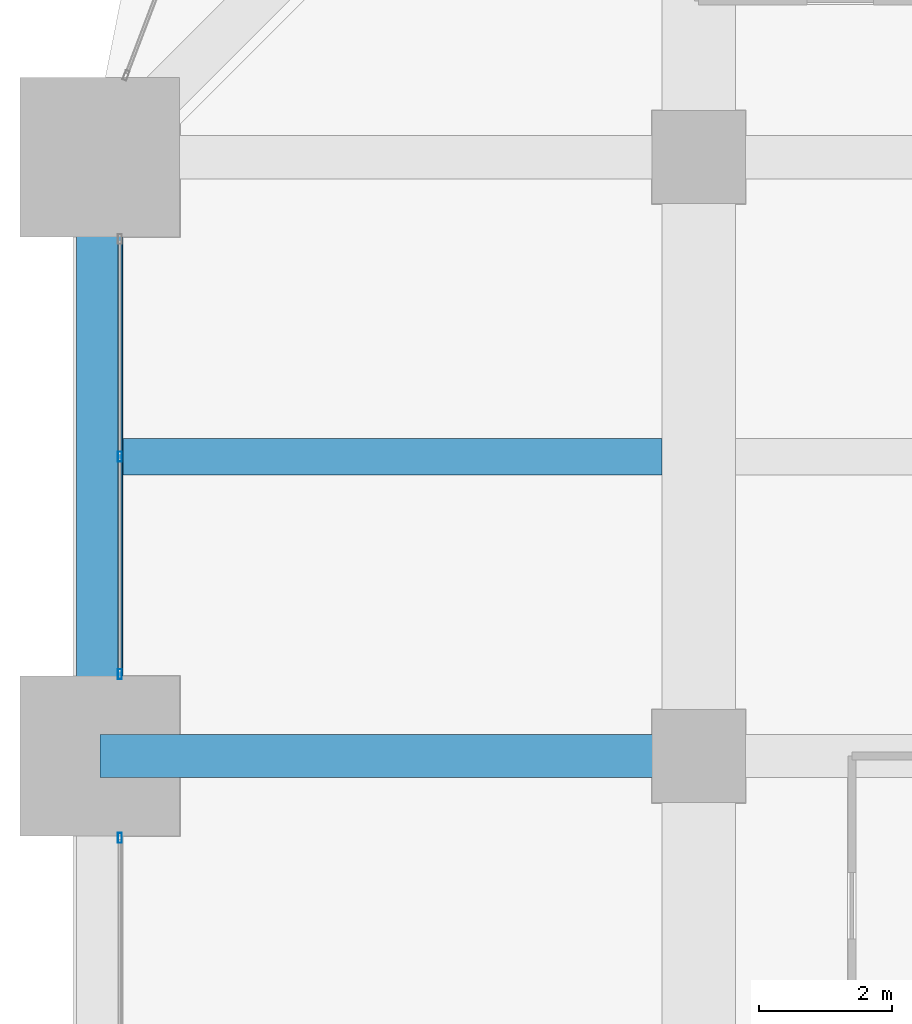
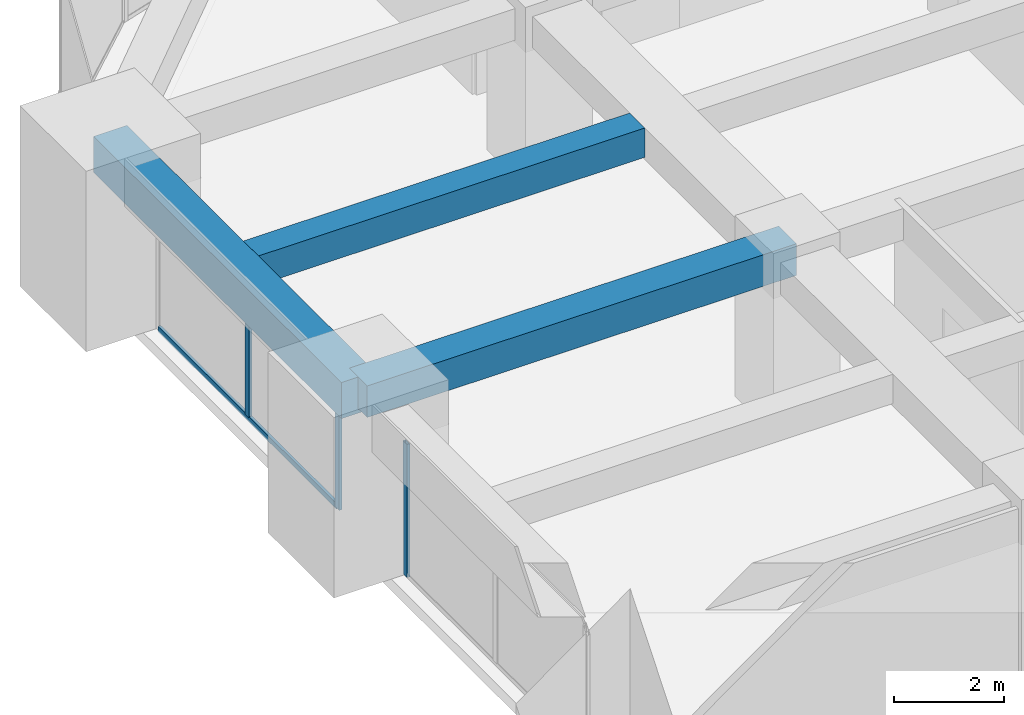
# One storey, part 11 of 33: 4 members, 3 beams, 2 elements without a shape of their own.
"""IFC4 building model written with IfcOpenShell, lengths in metres."""

from ifc_helpers import new_model, si_unit, direction, frame, origin, origin_2d, place, context, subcontext, project, spatial, rectangle, hollow_rectangle, extrude, material, material_profile, profile_set, type_object, element, aggregate, save


model = new_model("IFC4")

# Units and contexts
model_context = context("Model", 3, precision=1e-05, world=origin(), true_north=direction((0.0, 1.0)))
body_context = subcontext(model_context, "Body", "Model", "MODEL_VIEW")
ifc_project = project(units=[si_unit("LENGTHUNIT", "METRE"), si_unit("AREAUNIT", "SQUARE_METRE"), si_unit("VOLUMEUNIT", "CUBIC_METRE"), si_unit("PLANEANGLEUNIT", "RADIAN"), si_unit("MASSUNIT", "GRAM", prefix="KILO")], contexts=[model_context])

# Site, building, storey
site_placement = place(None, origin())
site = spatial("IfcSite", under=ifc_project, at=site_placement, CompositionType="ELEMENT")
building_placement = place(site_placement, origin())
building = spatial("IfcBuilding", under=site, at=building_placement, Name="Zorevar Civic Tower", CompositionType="ELEMENT")
storey_placement = place(building_placement, frame((0.0, 0.0, 210.199951171875)))
storey = spatial("IfcBuildingStorey", under=building, at=storey_placement, Name="L51", CompositionType="ELEMENT", Elevation=210.199951171875)

# Beams
ifc_material_1 = material(Name="Concrete C50/60", Category="concrete")
ifc_material_profile_1 = material_profile(ifc_material_1, rectangle(XDim=0.550048828125, YDim=0.64990234375, at=origin_2d()), Name="RC 550x650")
ifc_profile_set_1 = profile_set([ifc_material_profile_1], Name="Concrete C50/60")
beam_type_1 = type_object("IfcBeamType", Name="Beam RC 550x650", PredefinedType="BEAM", material=ifc_profile_set_1)
beam_1_placement = place(storey_placement, frame((0.35009765625, 31.5, 3.425048828125), z_axis=(1.0, 0.0, 0.0), x_axis=(0.0, 1.0, 0.0)))
element("IfcBeam", 1, at=beam_1_placement, inside=storey, type_object=beam_type_1, Name="Secondary beam L52", PredefinedType="BEAM", context=body_context, shape_type="SweptSolid", body=[
    extrude(rectangle(XDim=0.550048828125, YDim=0.64990234375, at=origin_2d()), origin(), (0.0, 0.0, 1.0), 8.099853515625),
])
ifc_material_2 = material(Name="Concrete C50/60", Category="concrete")
ifc_material_profile_2 = material_profile(ifc_material_2, rectangle(XDim=0.64990234375, YDim=0.699951171875, at=origin_2d()), Name="RC 650x700")
ifc_profile_set_2 = profile_set([ifc_material_profile_2], Name="Concrete C50/60")
beam_type_2 = type_object("IfcBeamType", Name="Beam RC 650x700", PredefinedType="BEAM", material=ifc_profile_set_2)
beam_2_placement = place(storey_placement, frame((0.0, 27.0, 3.400146484375), z_axis=(1.0, 0.0, 0.0), x_axis=(0.0, 1.0, 0.0)))
element("IfcBeam", 2, at=beam_2_placement, inside=storey, type_object=beam_type_2, Name="Girder L52", PredefinedType="BEAM", context=body_context, shape_type="SweptSolid", body=[
    extrude(rectangle(XDim=0.64990234375, YDim=0.699951171875, at=origin_2d()), origin(), (0.0, 0.0, 1.0), 9.0),
])

# Curtain wall, member
ifc_material_3 = material(Name="Dark grey solar-control glass in black aluminium frame", Category="aluminium")
curtain_wall_type = type_object("IfcCurtainWallType", Name="Curtain wall CW4 high zone", PredefinedType="NOTDEFINED", material=ifc_material_3)
curtain_wall_1_placement = place(storey_placement, origin())
curtain_wall_1 = element("IfcCurtainWall", 3, at=curtain_wall_1_placement, inside=storey, type_object=curtain_wall_type, Name="CW4 L51", PredefinedType="NOTDEFINED")
ifc_material_4 = material(Name="Aluminium, black anodised", Category="aluminium")
ifc_material_profile_3 = material_profile(ifc_material_4, hollow_rectangle(XDim=0.06005859375, YDim=0.14990234375, WallThickness=0.00390625, at=origin_2d()), Name="AL 150x60x4")
ifc_profile_set_3 = profile_set([ifc_material_profile_3], Name="Aluminium, black anodised")
member_type_1 = type_object("IfcMemberType", Name="CW4 mullion AL 150x60x4", PredefinedType="MULLION", material=ifc_profile_set_3)
member_1_placement = place(storey_placement, frame((0.300048828125, 25.77001953125, 0.0), z_axis=(0.0, 0.0, 1.0), x_axis=(-1.0, 0.0, 0.0)))
member_1 = element("IfcMember", 4, at=member_1_placement, type_object=member_type_1, Name="CW4 mullion 3", PredefinedType="MULLION", context=body_context, shape_type="SweptSolid", body=[
    extrude(hollow_rectangle(XDim=0.06005859375, YDim=0.14990234375, WallThickness=0.00390625, at=origin_2d()), origin(), (0.0, 0.0, 1.0), 2.949951171875),
])
aggregate(curtain_wall_1, [member_1])

# Curtain wall, members
curtain_wall_2_placement = place(storey_placement, origin())
curtain_wall_2 = element("IfcCurtainWall", 5, at=curtain_wall_2_placement, inside=storey, type_object=curtain_wall_type, Name="CW4 L51", PredefinedType="NOTDEFINED")
member_2_placement = place(storey_placement, frame((0.300048828125, 28.22998046875, 0.0), z_axis=(0.0, 0.0, 1.0), x_axis=(-1.0, 0.0, 0.0)))
member_2 = element("IfcMember", 6, at=member_2_placement, type_object=member_type_1, Name="CW4 mullion 1", PredefinedType="MULLION", context=body_context, shape_type="SweptSolid", body=[
    extrude(hollow_rectangle(XDim=0.06005859375, YDim=0.14990234375, WallThickness=0.00390625, at=origin_2d()), origin(), (0.0, 0.0, 1.0), 2.949951171875),
])
member_3_placement = place(storey_placement, frame((0.300048828125, 31.5, 0.06005859375), z_axis=(0.0, 0.0, 1.0), x_axis=(-1.0, 0.0, 0.0)))
member_3 = element("IfcMember", 7, at=member_3_placement, type_object=member_type_1, Name="CW4 mullion 2", PredefinedType="MULLION", context=body_context, shape_type="SweptSolid", body=[
    extrude(hollow_rectangle(XDim=0.06005859375, YDim=0.14990234375, WallThickness=0.00390625, at=origin_2d()), origin(), (0.0, 0.0, 1.0), 2.889892578125),
])
ifc_material_5 = material(Name="Aluminium, black anodised", Category="aluminium")
ifc_material_profile_4 = material_profile(ifc_material_5, hollow_rectangle(XDim=0.06005859375, YDim=0.1201171875, WallThickness=0.0029296875, at=origin_2d()), Name="AL 120x60x3")
ifc_profile_set_4 = profile_set([ifc_material_profile_4], Name="Aluminium, black anodised")
member_type_2 = type_object("IfcMemberType", Name="CW4 transom AL 120x60x3", PredefinedType="USERDEFINED", material=ifc_profile_set_4)
member_4_placement = place(storey_placement, frame((0.300048828125, 28.260009765625, 0.030029296875), z_axis=(0.0, 1.0, 0.0), x_axis=(-1.0, 0.0, 0.0)))
member_4 = element("IfcMember", 8, at=member_4_placement, type_object=member_type_2, Name="CW4 sill transom", ObjectType="TRANSOM", PredefinedType="USERDEFINED", context=body_context, shape_type="SweptSolid", body=[
    extrude(hollow_rectangle(XDim=0.06005859375, YDim=0.1201171875, WallThickness=0.0029296875, at=origin_2d()), origin(), (0.0, 0.0, 1.0), 6.47998046875),
])
aggregate(curtain_wall_2, [member_2, member_3, member_4])

# Beam
ifc_material_6 = material(Name="Concrete C50/60", Category="concrete")
ifc_material_profile_5 = material_profile(ifc_material_6, rectangle(XDim=0.699951171875, YDim=0.800048828125, at=origin_2d()), Name="RC 700x800")
ifc_profile_set_5 = profile_set([ifc_material_profile_5], Name="Concrete C50/60")
beam_type_3 = type_object("IfcBeamType", Name="Edge beam RC 700x800", PredefinedType="SPANDREL", material=ifc_profile_set_5)
beam_3_placement = place(storey_placement, frame((0.0, 27.0, 3.35009765625), z_axis=(0.0, 1.0, 0.0), x_axis=(-1.0, 0.0, 0.0)))
element("IfcBeam", 9, at=beam_3_placement, inside=storey, type_object=beam_type_3, Name="Edge beam L52", PredefinedType="SPANDREL", context=body_context, shape_type="SweptSolid", body=[
    extrude(rectangle(XDim=0.699951171875, YDim=0.800048828125, at=origin_2d()), origin(), (0.0, 0.0, 1.0), 9.0),
])

save(model, "model.ifc")
